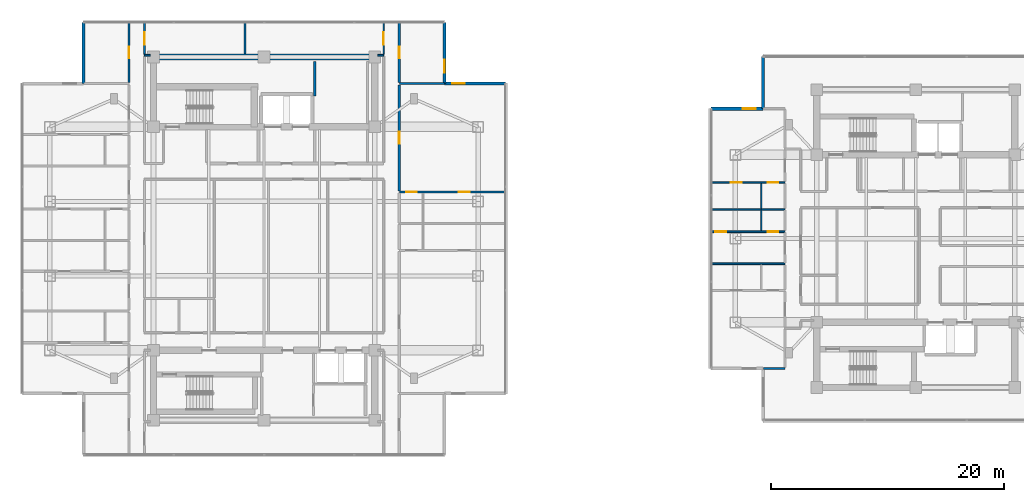
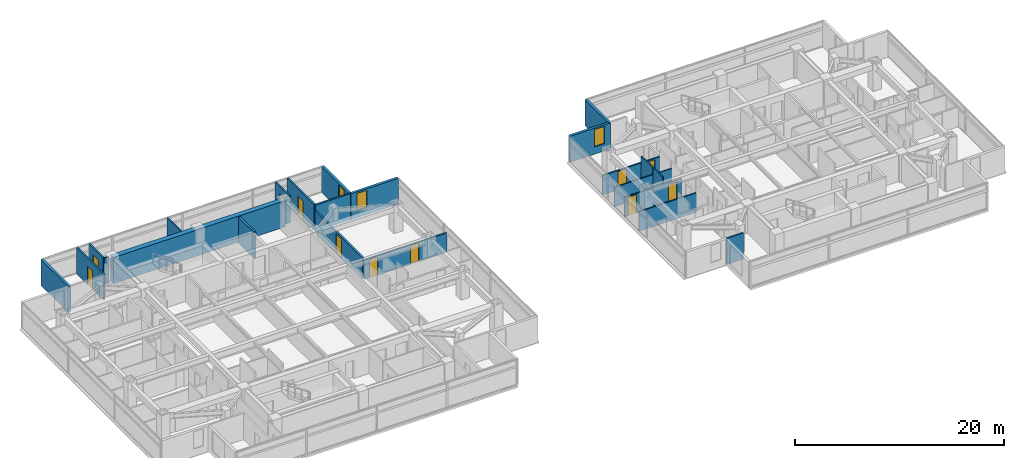
# One storey, part 15 of 24: 24 walls, 11 doors, 3 windows, 14 openings.
"""IFC4 building model written with IfcOpenShell, lengths in metres."""

from ifc_helpers import new_model, si_unit, direction, frame, frame_2d, origin, place, context, subcontext, project, spatial, rectangle, extrude, material, layer, layer_set, type_object, element, fill, save


model = new_model("IFC4")

# Units and contexts
model_context = context("Model", 3, precision=1e-05, world=origin(), true_north=direction((0.0, 1.0)))
body_context = subcontext(model_context, "Body", "Model", "MODEL_VIEW")
ifc_project = project(units=[si_unit("LENGTHUNIT", "METRE"), si_unit("AREAUNIT", "SQUARE_METRE"), si_unit("VOLUMEUNIT", "CUBIC_METRE"), si_unit("PLANEANGLEUNIT", "RADIAN"), si_unit("MASSUNIT", "GRAM", prefix="KILO")], contexts=[model_context])

# Site, building, storey
site_placement = place(None, origin())
site = spatial("IfcSite", under=ifc_project, at=site_placement, CompositionType="ELEMENT")
building_placement = place(site_placement, origin())
building = spatial("IfcBuilding", under=site, at=building_placement, Name="Mirazonda Arch Towers", CompositionType="ELEMENT")
storey_placement = place(building_placement, frame((0.0, 0.0, 167.39990234375)))
storey = spatial("IfcBuildingStorey", under=building, at=storey_placement, Name="L47", CompositionType="ELEMENT", Elevation=167.39990234375)

# Wall
ifc_material_1 = material(Name="Concrete C50/60", Category="concrete")
ifc_layer_1 = layer(ifc_material_1, 0.550048828125, Name="WALL-CORE-550")
ifc_layer_set_1 = layer_set([ifc_layer_1], Name="Concrete C50/60")
wall_type_1 = type_object("IfcWallType", Name="WALL-CORE-550", PredefinedType="SHEAR", material=ifc_layer_set_1)
wall_1_placement = place(storey_placement, frame((11.0, 43.60009765625, 0.0), z_axis=(0.0, 0.0, 1.0), x_axis=(1.0, 0.0, 0.0)))
element("IfcWall", 1, at=wall_1_placement, inside=storey, type_object=wall_type_1, Name="L47 T1N-N Core Shear Wall", PredefinedType="SHEAR", context=body_context, shape_type="SweptSolid", body=[
    extrude(rectangle(XDim=19.0, YDim=0.550048828125, at=frame_2d((9.5, 0.0))), origin(), (0.0, 0.0, 1.0), 3.050048828125),
])

# Wall, opening, window
ifc_material_2 = material(Name="Precast Concrete C40/50", Category="concrete")
ifc_layer_2 = layer(ifc_material_2, 0.280029296875, Name="WALL-EXT-WALL-280")
ifc_layer_set_2 = layer_set([ifc_layer_2], Name="Precast Concrete C40/50")
wall_type_2 = type_object("IfcWallType", Name="WALL-EXT-WALL-280", PredefinedType="SOLIDWALL", material=ifc_layer_set_2)
wall_2_placement = place(storey_placement, frame((36.0048828125, 41.31689453125, 0.0), z_axis=(0.0, 0.0, 1.0), x_axis=(0.0, 1.0, 0.0)))
wall_2 = element("IfcWall", 2, at=wall_2_placement, inside=storey, type_object=wall_type_2, Name="L47 T1 Notched NE Corner Wall WL-L47-T1-CNE", PredefinedType="SOLIDWALL", context=body_context, shape_type="SweptSolid", body=[
    extrude(rectangle(XDim=5.2451171875, YDim=0.280029296875, at=frame_2d((2.62255859375, 0.0))), origin(), (0.0, 0.0, 1.0), 3.030029296875),
])
opening_1_placement = place(wall_2_placement, frame((0.949951171875, 0.0, 0.85009765625)))
opening_1 = element("IfcOpeningElement", 3, at=opening_1_placement, cuts=wall_2, Name="Opening WN-108", PredefinedType="OPENING", context=body_context, shape_type="SweptSolid", body=[
    extrude(rectangle(XDim=1.10009765625, YDim=2.0, at=frame_2d((0.550048828125, 1.0))), frame((0.0, 0.14990234375, 0.0), z_axis=(0.0, -1.0, 0.0), x_axis=(1.0, 0.0, 0.0)), (0.0, 0.0, 1.0), 0.300048828125),
])
ifc_material_3 = material(Name="Insulated Low-E Solar Glass", Category="glass")
window_type = type_object("IfcWindowType", Name="WIN-NOTCH-1100x2000", PartitioningType="SINGLE_PANEL", PredefinedType="WINDOW", material=ifc_material_3)
window_1_placement = place(opening_1_placement, origin())
window_1 = element("IfcWindow", 4, at=window_1_placement, inside=storey, type_object=window_type, Name="L47 Punched Facade Window WN-L47-T1-CNE", OverallHeight=2.0, OverallWidth=1.10009765625, PartitioningType="SINGLE_PANEL", PredefinedType="WINDOW", context=body_context, shape_type="SweptSolid", body=[
    extrude(rectangle(XDim=1.10009765625, YDim=2.0, at=frame_2d((0.550048828125, 1.0))), frame((0.0, 0.030029296875, 0.0), z_axis=(0.0, -1.0, 0.0), x_axis=(1.0, 0.0, 0.0)), (0.0, 0.0, 1.0), 0.06005859375),
])
fill(opening_1, window_1)

# Wall
wall_3_placement = place(storey_placement, frame((4.9951171875, 46.56201171875, 0.0), z_axis=(0.0, 0.0, 1.0), x_axis=(0.0, -1.0, 0.0)))
element("IfcWall", 5, at=wall_3_placement, inside=storey, type_object=wall_type_2, Name="L47 T1 Corner Notch Return Wall WL-L47-T1-CNW2", PredefinedType="SOLIDWALL", context=body_context, shape_type="SweptSolid", body=[
    extrude(rectangle(XDim=5.2451171875, YDim=0.280029296875, at=frame_2d((2.62255859375, 0.0))), origin(), (0.0, 0.0, 1.0), 3.030029296875),
])

# Wall, opening, window
wall_4_placement = place(storey_placement, frame((41.25, 41.31689453125, 0.0), z_axis=(0.0, 0.0, 1.0), x_axis=(-1.0, 0.0, 0.0)))
wall_4 = element("IfcWall", 6, at=wall_4_placement, inside=storey, type_object=wall_type_2, Name="L47 T1 Corner Notch Return Wall WL-L47-T1-CNE2", PredefinedType="SOLIDWALL", context=body_context, shape_type="SweptSolid", body=[
    extrude(rectangle(XDim=5.2451171875, YDim=0.280029296875, at=frame_2d((2.62255859375, 0.0))), origin(), (0.0, 0.0, 1.0), 3.030029296875),
])
opening_2_placement = place(wall_4_placement, frame((3.4951171875, 0.0, 0.85009765625)))
opening_2 = element("IfcOpeningElement", 7, at=opening_2_placement, cuts=wall_4, Name="Opening WN-108", PredefinedType="OPENING", context=body_context, shape_type="SweptSolid", body=[
    extrude(rectangle(XDim=1.10009765625, YDim=2.0, at=frame_2d((0.550048828125, 1.0))), frame((0.0, 0.14990234375, 0.0), z_axis=(0.0, -1.0, 0.0), x_axis=(1.0, 0.0, 0.0)), (0.0, 0.0, 1.0), 0.300048828125),
])
window_2_placement = place(opening_2_placement, origin())
window_2 = element("IfcWindow", 8, at=window_2_placement, inside=storey, type_object=window_type, Name="L47 Punched Facade Window WN-L47-T1-CNE2", OverallHeight=2.0, OverallWidth=1.10009765625, PartitioningType="SINGLE_PANEL", PredefinedType="WINDOW", context=body_context, shape_type="SweptSolid", body=[
    extrude(rectangle(XDim=1.10009765625, YDim=2.0, at=frame_2d((0.550048828125, 1.0))), frame((0.0, 0.030029296875, 0.0), z_axis=(0.0, -1.0, 0.0), x_axis=(1.0, 0.0, 0.0)), (0.0, 0.0, 1.0), 0.06005859375),
])
fill(opening_2, window_2)

wall_5_placement = place(storey_placement, frame((63.380615234375, 39.159423828125, 0.0), z_axis=(0.0, 0.0, 1.0), x_axis=(-1.0, 0.0, 0.0)))
wall_5 = element("IfcWall", 9, at=wall_5_placement, inside=storey, type_object=wall_type_2, Name="L47 T2 Corner Notch Return Wall WL-L47-T2-CNW1", PredefinedType="SOLIDWALL", context=body_context, shape_type="SweptSolid", body=[
    extrude(rectangle(XDim=4.465087890625, YDim=0.280029296875, at=frame_2d((2.232421875, 0.0))), origin(), (0.0, 0.0, 1.0), 3.030029296875),
])
opening_3_placement = place(wall_5_placement, frame((0.64990234375, 0.0, 0.85009765625)))
opening_3 = element("IfcOpeningElement", 10, at=opening_3_placement, cuts=wall_5, Name="Opening WN-108", PredefinedType="OPENING", context=body_context, shape_type="SweptSolid", body=[
    extrude(rectangle(XDim=1.10009765625, YDim=2.0, at=frame_2d((0.550048828125, 1.0))), frame((0.0, 0.14990234375, 0.0), z_axis=(0.0, -1.0, 0.0), x_axis=(1.0, 0.0, 0.0)), (0.0, 0.0, 1.0), 0.300048828125),
])
window_3_placement = place(opening_3_placement, origin())
window_3 = element("IfcWindow", 11, at=window_3_placement, inside=storey, type_object=window_type, Name="L47 Punched Facade Window WN-L47-T2-CNW1", OverallHeight=2.0, OverallWidth=1.10009765625, PartitioningType="SINGLE_PANEL", PredefinedType="WINDOW", context=body_context, shape_type="SweptSolid", body=[
    extrude(rectangle(XDim=1.10009765625, YDim=2.0, at=frame_2d((0.550048828125, 1.0))), frame((0.0, 0.030029296875, 0.0), z_axis=(0.0, -1.0, 0.0), x_axis=(1.0, 0.0, 0.0)), (0.0, 0.0, 1.0), 0.06005859375),
])
fill(opening_3, window_3)

# Walls
wall_6_placement = place(storey_placement, frame((63.380615234375, 43.624755859375, 0.0), z_axis=(0.0, 0.0, 1.0), x_axis=(0.0, -1.0, 0.0)))
element("IfcWall", 12, at=wall_6_placement, inside=storey, type_object=wall_type_2, Name="L47 T2 Corner Notch Return Wall WL-L47-T2-CNW2", PredefinedType="SOLIDWALL", context=body_context, shape_type="SweptSolid", body=[
    extrude(rectangle(XDim=4.46533203125, YDim=0.280029296875, at=frame_2d((2.232666015625, 0.0))), origin(), (0.0, 0.0, 1.0), 3.030029296875),
])
ifc_material_4 = material(Name="Concrete C40/50", Category="concrete")
ifc_layer_3 = layer(ifc_material_4, 0.219970703125, Name="WALL-FFL-220")
ifc_layer_set_3 = layer_set([ifc_layer_3], Name="Concrete C40/50")
wall_type_3 = type_object("IfcWallType", Name="WALL-FFL-220", PredefinedType="SOLIDWALL", material=ifc_layer_set_3)
wall_7_placement = place(storey_placement, frame((24.85009765625, 40.260009765625, 0.0), z_axis=(0.0, 0.0, 1.0), x_axis=(0.0, 1.0, 0.0)))
element("IfcWall", 13, at=wall_7_placement, inside=storey, type_object=wall_type_3, Name="L47 Interior Partition 097", PredefinedType="SOLIDWALL", context=body_context, shape_type="SweptSolid", body=[
    extrude(rectangle(XDim=2.93994140625, YDim=0.219970703125, at=frame_2d((1.469970703125, 0.0))), origin(), (0.0, 0.0, 1.0), 3.050048828125),
])
ifc_material_5 = material(Name="Fire-Rated Gypsum Stud Partition")
ifc_layer_4 = layer(ifc_material_5, 0.14990234375, Name="WALL-PART-CORR-150")
ifc_layer_set_4 = layer_set([ifc_layer_4], Name="Fire-Rated Gypsum Stud Partition")
wall_type_4 = type_object("IfcWallType", Name="WALL-PART-CORR-150", PredefinedType="PARTITIONING", material=ifc_layer_set_4)
wall_8_placement = place(storey_placement, frame((58.916015625, 25.833984375, 0.0), z_axis=(0.0, 0.0, 1.0), x_axis=(1.0, 0.0, 0.0)))
element("IfcWall", 14, at=wall_8_placement, inside=storey, type_object=wall_type_4, Name="L47 Interior Partition 028", PredefinedType="PARTITIONING", context=body_context, shape_type="SweptSolid", body=[
    extrude(rectangle(XDim=6.333984375, YDim=0.14990234375, at=frame_2d((3.1669921875, 0.0))), origin(), (0.0, 0.0, 1.0), 2.26904296875),
])

# Wall, openings, doors
wall_9_placement = place(storey_placement, frame((58.916015625, 28.587890625, 0.0), z_axis=(0.0, 0.0, 1.0), x_axis=(1.0, 0.0, 0.0)))
wall_9 = element("IfcWall", 15, at=wall_9_placement, inside=storey, type_object=wall_type_4, Name="L47 Interior Partition 034", PredefinedType="PARTITIONING", context=body_context, shape_type="SweptSolid", body=[
    extrude(rectangle(XDim=6.333984375, YDim=0.14990234375, at=frame_2d((3.1669921875, 0.0))), origin(), (0.0, 0.0, 1.0), 2.26904296875),
])
opening_4_placement = place(wall_9_placement, frame((0.348388671875, 0.0, 0.0)))
opening_4 = element("IfcOpeningElement", 16, at=opening_4_placement, cuts=wall_9, Name="Opening DR-104", PredefinedType="OPENING", context=body_context, shape_type="SweptSolid", body=[
    extrude(rectangle(XDim=0.949951171875, YDim=2.14990234375, at=frame_2d((0.47509765625, 1.074951171875))), frame((0.0, 0.0849609375, 0.0), z_axis=(0.0, -1.0, 0.0), x_axis=(1.0, 0.0, 0.0)), (0.0, 0.0, 1.0), 0.169921875),
])
opening_5_placement = place(wall_9_placement, frame((4.8505859375, 0.0, 0.0)))
opening_5 = element("IfcOpeningElement", 17, at=opening_5_placement, cuts=wall_9, Name="Opening DR-120", PredefinedType="OPENING", context=body_context, shape_type="SweptSolid", body=[
    extrude(rectangle(XDim=0.89990234375, YDim=2.10009765625, at=frame_2d((0.449951171875, 1.050048828125))), frame((0.0, 0.0849609375, 0.0), z_axis=(0.0, -1.0, 0.0), x_axis=(1.0, 0.0, 0.0)), (0.0, 0.0, 1.0), 0.169921875),
])
ifc_material_6 = material(Name="Architectural Brushed Steel S355", Category="steel")
door_type_1 = type_object("IfcDoorType", Name="DOOR-ROOM-950", OperationType="NOTDEFINED", PredefinedType="DOOR", material=ifc_material_6)
door_1_placement = place(opening_4_placement, origin())
door_1 = element("IfcDoor", 18, at=door_1_placement, inside=storey, type_object=door_type_1, Name="L47 Studio 2 Galley Kitchen Door", OperationType="SINGLE_SWING_RIGHT", OverallHeight=2.14990234375, OverallWidth=0.949951171875, PredefinedType="DOOR", context=body_context, shape_type="SweptSolid", body=[
    extrude(rectangle(XDim=0.949951171875, YDim=2.14990234375, at=frame_2d((0.47509765625, 1.074951171875))), frame((0.0, 0.02490234375, 0.0), z_axis=(0.0, -1.0, 0.0), x_axis=(1.0, 0.0, 0.0)), (0.0, 0.0, 1.0), 0.050048828125),
])
fill(opening_4, door_1)
door_type_2 = type_object("IfcDoorType", Name="DOOR-WC-900", OperationType="NOTDEFINED", PredefinedType="DOOR", material=ifc_material_6)
door_2_placement = place(opening_5_placement, origin())
door_2 = element("IfcDoor", 19, at=door_2_placement, inside=storey, type_object=door_type_2, Name="L47 Studio 2 Bathroom Door", OperationType="SINGLE_SWING_LEFT", OverallHeight=2.10009765625, OverallWidth=0.89990234375, PredefinedType="DOOR", context=body_context, shape_type="SweptSolid", body=[
    extrude(rectangle(XDim=0.89990234375, YDim=2.10009765625, at=frame_2d((0.449951171875, 1.050048828125))), frame((0.0, 0.02490234375, 0.0), z_axis=(0.0, -1.0, 0.0), x_axis=(1.0, 0.0, 0.0)), (0.0, 0.0, 1.0), 0.050048828125),
])
fill(opening_5, door_2)

wall_10_placement = place(storey_placement, frame((58.916015625, 32.80810546875, 0.0), z_axis=(0.0, 0.0, 1.0), x_axis=(1.0, 0.0, 0.0)))
wall_10 = element("IfcWall", 20, at=wall_10_placement, inside=storey, type_object=wall_type_4, Name="L47 Interior Partition 044", PredefinedType="PARTITIONING", context=body_context, shape_type="SweptSolid", body=[
    extrude(rectangle(XDim=6.333984375, YDim=0.14990234375, at=frame_2d((3.1669921875, 0.0))), origin(), (0.0, 0.0, 1.0), 2.26904296875),
])
opening_6_placement = place(wall_10_placement, frame((1.698486328125, 0.0, 0.0)))
opening_6 = element("IfcOpeningElement", 21, at=opening_6_placement, cuts=wall_10, Name="Opening DR-104", PredefinedType="OPENING", context=body_context, shape_type="SweptSolid", body=[
    extrude(rectangle(XDim=0.949951171875, YDim=2.14990234375, at=frame_2d((0.47509765625, 1.074951171875))), frame((0.0, 0.0849609375, 0.0), z_axis=(0.0, -1.0, 0.0), x_axis=(1.0, 0.0, 0.0)), (0.0, 0.0, 1.0), 0.169921875),
])
opening_7_placement = place(wall_10_placement, frame((4.8505859375, 0.0, 0.0)))
opening_7 = element("IfcOpeningElement", 22, at=opening_7_placement, cuts=wall_10, Name="Opening DR-120", PredefinedType="OPENING", context=body_context, shape_type="SweptSolid", body=[
    extrude(rectangle(XDim=0.89990234375, YDim=2.10009765625, at=frame_2d((0.449951171875, 1.050048828125))), frame((0.0, 0.0849609375, 0.0), z_axis=(0.0, -1.0, 0.0), x_axis=(1.0, 0.0, 0.0)), (0.0, 0.0, 1.0), 0.169921875),
])
door_3_placement = place(opening_6_placement, origin())
door_3 = element("IfcDoor", 23, at=door_3_placement, inside=storey, type_object=door_type_1, Name="L47 Studio 3 Galley Kitchen Door", OperationType="SINGLE_SWING_LEFT", OverallHeight=2.14990234375, OverallWidth=0.949951171875, PredefinedType="DOOR", context=body_context, shape_type="SweptSolid", body=[
    extrude(rectangle(XDim=0.949951171875, YDim=2.14990234375, at=frame_2d((0.47509765625, 1.074951171875))), frame((0.0, 0.02490234375, 0.0), z_axis=(0.0, -1.0, 0.0), x_axis=(1.0, 0.0, 0.0)), (0.0, 0.0, 1.0), 0.050048828125),
])
fill(opening_6, door_3)
door_4_placement = place(opening_7_placement, origin())
door_4 = element("IfcDoor", 24, at=door_4_placement, inside=storey, type_object=door_type_2, Name="L47 Studio 3 Bathroom Door", OperationType="SINGLE_SWING_RIGHT", OverallHeight=2.10009765625, OverallWidth=0.89990234375, PredefinedType="DOOR", context=body_context, shape_type="SweptSolid", body=[
    extrude(rectangle(XDim=0.89990234375, YDim=2.10009765625, at=frame_2d((0.449951171875, 1.050048828125))), frame((0.0, 0.02490234375, 0.0), z_axis=(0.0, -1.0, 0.0), x_axis=(1.0, 0.0, 0.0)), (0.0, 0.0, 1.0), 0.050048828125),
])
fill(opening_7, door_4)

# Walls
for number, where, z_axis, x_axis, name in (
    (25, (10.219970703125, 43.75, 0.0), (0.0, 0.0, 1.0), (1.0, 0.0, 0.0), "L47 Interior Partition 059"),
    (26, (30.27001953125, 43.75, 0.0), (0.0, 0.0, 1.0), (1.0, 0.0, 0.0), "L47 Interior Partition 060"),
):
    element("IfcWall", number, at=place(storey_placement, frame(where, z_axis=z_axis, x_axis=x_axis)), inside=storey, type_object=wall_type_4, Name=name, PredefinedType="PARTITIONING", context=body_context, shape_type="SweptSolid", body=[
        extrude(rectangle(XDim=0.510009765625, YDim=0.14990234375, at=frame_2d((0.2548828125, 0.0))), origin(), (0.0, 0.0, 1.0), 3.050048828125),
    ])

# Wall, opening, door
wall_11_placement = place(storey_placement, frame((10.219970703125, 43.8349609375, 0.0), z_axis=(0.0, 0.0, 1.0), x_axis=(0.0, 1.0, 0.0)))
wall_11 = element("IfcWall", 27, at=wall_11_placement, inside=storey, type_object=wall_type_4, Name="L47 Interior Partition 080", PredefinedType="PARTITIONING", context=body_context, shape_type="SweptSolid", body=[
    extrude(rectangle(XDim=2.72705078125, YDim=0.14990234375, at=frame_2d((1.363525390625, 0.0))), origin(), (0.0, 0.0, 1.0), 3.050048828125),
])
opening_8_placement = place(wall_11_placement, frame((0.83837890625, 0.0, 0.0)))
opening_8 = element("IfcOpeningElement", 28, at=opening_8_placement, cuts=wall_11, Name="Opening DR-121", PredefinedType="OPENING", context=body_context, shape_type="SweptSolid", body=[
    extrude(rectangle(XDim=1.050048828125, YDim=2.199951171875, at=frame_2d((0.52490234375, 1.10009765625))), frame((0.0, 0.0849609375, 0.0), z_axis=(0.0, -1.0, 0.0), x_axis=(1.0, 0.0, 0.0)), (0.0, 0.0, 1.0), 0.169921875),
])
door_type_3 = type_object("IfcDoorType", Name="DOOR-SUITE-FD60-1050", OperationType="NOTDEFINED", PredefinedType="DOOR", material=ifc_material_6)
door_5_placement = place(opening_8_placement, origin())
door_5 = element("IfcDoor", 29, at=door_5_placement, inside=storey, type_object=door_type_3, Name="L47 North Reading Salon West Door", OperationType="SINGLE_SWING_RIGHT", OverallHeight=2.199951171875, OverallWidth=1.050048828125, PredefinedType="DOOR", context=body_context, shape_type="SweptSolid", body=[
    extrude(rectangle(XDim=1.050048828125, YDim=2.199951171875, at=frame_2d((0.52490234375, 1.10009765625))), frame((0.0, 0.02490234375, 0.0), z_axis=(0.0, -1.0, 0.0), x_axis=(1.0, 0.0, 0.0)), (0.0, 0.0, 1.0), 0.050048828125),
])
fill(opening_8, door_5)

# Wall
wall_12_placement = place(storey_placement, frame((18.85498046875, 43.8701171875, 0.0), z_axis=(0.0, 0.0, 1.0), x_axis=(0.0, 1.0, 0.0)))
element("IfcWall", 30, at=wall_12_placement, inside=storey, type_object=wall_type_4, Name="L47 Interior Partition 086", PredefinedType="PARTITIONING", context=body_context, shape_type="SweptSolid", body=[
    extrude(rectangle(XDim=2.69189453125, YDim=0.14990234375, at=frame_2d((1.345947265625, 0.0))), origin(), (0.0, 0.0, 1.0), 3.050048828125),
])

# Wall, opening, door
wall_13_placement = place(storey_placement, frame((30.780029296875, 43.8349609375, 0.0), z_axis=(0.0, 0.0, 1.0), x_axis=(0.0, 1.0, 0.0)))
wall_13 = element("IfcWall", 31, at=wall_13_placement, inside=storey, type_object=wall_type_4, Name="L47 Interior Partition 107", PredefinedType="PARTITIONING", context=body_context, shape_type="SweptSolid", body=[
    extrude(rectangle(XDim=2.72705078125, YDim=0.14990234375, at=frame_2d((1.363525390625, 0.0))), origin(), (0.0, 0.0, 1.0), 3.050048828125),
])
opening_9_placement = place(wall_13_placement, frame((0.83837890625, 0.0, 0.0)))
opening_9 = element("IfcOpeningElement", 32, at=opening_9_placement, cuts=wall_13, Name="Opening DR-121", PredefinedType="OPENING", context=body_context, shape_type="SweptSolid", body=[
    extrude(rectangle(XDim=1.050048828125, YDim=2.199951171875, at=frame_2d((0.52490234375, 1.10009765625))), frame((0.0, 0.0849609375, 0.0), z_axis=(0.0, -1.0, 0.0), x_axis=(1.0, 0.0, 0.0)), (0.0, 0.0, 1.0), 0.169921875),
])
door_6_placement = place(opening_9_placement, origin())
door_6 = element("IfcDoor", 33, at=door_6_placement, inside=storey, type_object=door_type_3, Name="L47 North Reading Salon East Door", OperationType="SINGLE_SWING_LEFT", OverallHeight=2.199951171875, OverallWidth=1.050048828125, PredefinedType="DOOR", context=body_context, shape_type="SweptSolid", body=[
    extrude(rectangle(XDim=1.050048828125, YDim=2.199951171875, at=frame_2d((0.52490234375, 1.10009765625))), frame((0.0, 0.02490234375, 0.0), z_axis=(0.0, -1.0, 0.0), x_axis=(1.0, 0.0, 0.0)), (0.0, 0.0, 1.0), 0.050048828125),
])
fill(opening_9, door_6)

# Wall
ifc_material_7 = material(Name="Fire-Rated Gypsum Twin-Stud Assembly")
ifc_layer_5 = layer(ifc_material_7, 0.179931640625, Name="WALL-PART-DEMISE-180")
ifc_layer_set_5 = layer_set([ifc_layer_5], Name="Fire-Rated Gypsum Twin-Stud Assembly")
wall_type_5 = type_object("IfcWallType", Name="WALL-PART-DEMISE-180", PredefinedType="PARTITIONING", material=ifc_layer_set_5)
wall_14_placement = place(storey_placement, frame((63.400634765625, 16.840087890625, 0.0), z_axis=(0.0, 0.0, 1.0), x_axis=(1.0, 0.0, 0.0)))
element("IfcWall", 34, at=wall_14_placement, inside=storey, type_object=wall_type_5, Name="L47 Interior Partition 008", PredefinedType="PARTITIONING", context=body_context, shape_type="SweptSolid", body=[
    extrude(rectangle(XDim=1.849365234375, YDim=0.179931640625, at=frame_2d((0.9248046875, 0.0))), origin(), (0.0, 0.0, 1.0), 3.050048828125),
])

# Wall, openings, doors
wall_15_placement = place(storey_placement, frame((32.1201171875, 32.0029296875, 0.0), z_axis=(0.0, 0.0, 1.0), x_axis=(1.0, 0.0, 0.0)))
wall_15 = element("IfcWall", 35, at=wall_15_placement, inside=storey, type_object=wall_type_5, Name="L47 Interior Partition 041", PredefinedType="PARTITIONING", context=body_context, shape_type="SweptSolid", body=[
    extrude(rectangle(XDim=9.1298828125, YDim=0.179931640625, at=frame_2d((4.56494140625, 0.0))), origin(), (0.0, 0.0, 1.0), 2.26904296875),
])
opening_10_placement = place(wall_15_placement, frame((5.090087890625, 0.0, 0.0)))
opening_10 = element("IfcOpeningElement", 36, at=opening_10_placement, cuts=wall_15, Name="Opening DR-104", PredefinedType="OPENING", context=body_context, shape_type="SweptSolid", body=[
    extrude(rectangle(XDim=0.949951171875, YDim=2.14990234375, at=frame_2d((0.47509765625, 1.074951171875))), frame((0.0, 0.099853515625, 0.0), z_axis=(0.0, -1.0, 0.0), x_axis=(1.0, 0.0, 0.0)), (0.0, 0.0, 1.0), 0.199951171875),
])
opening_11_placement = place(wall_15_placement, frame((0.590087890625, 0.0, 0.0)))
opening_11 = element("IfcOpeningElement", 37, at=opening_11_placement, cuts=wall_15, Name="Opening DR-120", PredefinedType="OPENING", context=body_context, shape_type="SweptSolid", body=[
    extrude(rectangle(XDim=0.89990234375, YDim=2.10009765625, at=frame_2d((0.449951171875, 1.050048828125))), frame((0.0, 0.099853515625, 0.0), z_axis=(0.0, -1.0, 0.0), x_axis=(1.0, 0.0, 0.0)), (0.0, 0.0, 1.0), 0.199951171875),
])
door_7_placement = place(opening_10_placement, origin())
door_7 = element("IfcDoor", 38, at=door_7_placement, inside=storey, type_object=door_type_1, Name="L47 Suite Bedroom 2 Door", OperationType="SINGLE_SWING_RIGHT", OverallHeight=2.14990234375, OverallWidth=0.949951171875, PredefinedType="DOOR", context=body_context, shape_type="SweptSolid", body=[
    extrude(rectangle(XDim=0.949951171875, YDim=2.14990234375, at=frame_2d((0.47509765625, 1.074951171875))), frame((0.0, 0.02490234375, 0.0), z_axis=(0.0, -1.0, 0.0), x_axis=(1.0, 0.0, 0.0)), (0.0, 0.0, 1.0), 0.050048828125),
])
fill(opening_10, door_7)
door_8_placement = place(opening_11_placement, origin())
door_8 = element("IfcDoor", 39, at=door_8_placement, inside=storey, type_object=door_type_2, Name="L47 Suite En-Suite Bathroom 2 Door", OperationType="SINGLE_SWING_LEFT", OverallHeight=2.10009765625, OverallWidth=0.89990234375, PredefinedType="DOOR", context=body_context, shape_type="SweptSolid", body=[
    extrude(rectangle(XDim=0.89990234375, YDim=2.10009765625, at=frame_2d((0.449951171875, 1.050048828125))), frame((0.0, 0.02490234375, 0.0), z_axis=(0.0, -1.0, 0.0), x_axis=(1.0, 0.0, 0.0)), (0.0, 0.0, 1.0), 0.050048828125),
])
fill(opening_11, door_8)

# Wall
wall_16_placement = place(storey_placement, frame((32.1201171875, 41.31689453125, 0.0), z_axis=(0.0, 0.0, 1.0), x_axis=(1.0, 0.0, 0.0)))
element("IfcWall", 40, at=wall_16_placement, inside=storey, type_object=wall_type_5, Name="L47 Interior Partition 058", PredefinedType="PARTITIONING", context=body_context, shape_type="SweptSolid", body=[
    extrude(rectangle(XDim=3.864990234375, YDim=0.179931640625, at=frame_2d((1.9326171875, 0.0))), origin(), (0.0, 0.0, 1.0), 3.050048828125),
])

# Wall, opening, door
wall_17_placement = place(storey_placement, frame((8.8798828125, 41.4169921875, 0.0), z_axis=(0.0, 0.0, 1.0), x_axis=(0.0, 1.0, 0.0)))
wall_17 = element("IfcWall", 41, at=wall_17_placement, inside=storey, type_object=wall_type_5, Name="L47 Interior Partition 074", PredefinedType="PARTITIONING", context=body_context, shape_type="SweptSolid", body=[
    extrude(rectangle(XDim=5.14501953125, YDim=0.179931640625, at=frame_2d((2.572509765625, 0.0))), origin(), (0.0, 0.0, 1.0), 3.050048828125),
])
opening_12_placement = place(wall_17_placement, frame((2.097412109375, 0.0, 0.0)))
opening_12 = element("IfcOpeningElement", 42, at=opening_12_placement, cuts=wall_17, Name="Opening DR-104", PredefinedType="OPENING", context=body_context, shape_type="SweptSolid", body=[
    extrude(rectangle(XDim=0.949951171875, YDim=2.14990234375, at=frame_2d((0.47509765625, 1.074951171875))), frame((0.0, 0.099853515625, 0.0), z_axis=(0.0, -1.0, 0.0), x_axis=(1.0, 0.0, 0.0)), (0.0, 0.0, 1.0), 0.199951171875),
])
door_9_placement = place(opening_12_placement, origin())
door_9 = element("IfcDoor", 43, at=door_9_placement, inside=storey, type_object=door_type_1, Name="L47 North Reading Salon Alcove West Door", OperationType="SINGLE_SWING_RIGHT", OverallHeight=2.14990234375, OverallWidth=0.949951171875, PredefinedType="DOOR", context=body_context, shape_type="SweptSolid", body=[
    extrude(rectangle(XDim=0.949951171875, YDim=2.14990234375, at=frame_2d((0.47509765625, 1.074951171875))), frame((0.0, 0.02490234375, 0.0), z_axis=(0.0, -1.0, 0.0), x_axis=(1.0, 0.0, 0.0)), (0.0, 0.0, 1.0), 0.050048828125),
])
fill(opening_12, door_9)

wall_18_placement = place(storey_placement, frame((32.1201171875, 32.10302734375, 0.0), z_axis=(0.0, 0.0, 1.0), x_axis=(0.0, 1.0, 0.0)))
wall_18 = element("IfcWall", 44, at=wall_18_placement, inside=storey, type_object=wall_type_5, Name="L47 Interior Partition 112", PredefinedType="PARTITIONING", context=body_context, shape_type="SweptSolid", body=[
    extrude(rectangle(XDim=9.114013671875, YDim=0.179931640625, at=frame_2d((4.55712890625, 0.0))), origin(), (0.0, 0.0, 1.0), 2.442138671875),
])
opening_13_placement = place(wall_18_placement, frame((4.031982421875, 0.0, 0.0)))
opening_13 = element("IfcOpeningElement", 45, at=opening_13_placement, cuts=wall_18, Name="Opening DR-121", PredefinedType="OPENING", context=body_context, shape_type="SweptSolid", body=[
    extrude(rectangle(XDim=1.050048828125, YDim=2.199951171875, at=frame_2d((0.52490234375, 1.10009765625))), frame((0.0, 0.099853515625, 0.0), z_axis=(0.0, -1.0, 0.0), x_axis=(1.0, 0.0, 0.0)), (0.0, 0.0, 1.0), 0.199951171875),
])
door_10_placement = place(opening_13_placement, origin())
door_10 = element("IfcDoor", 46, at=door_10_placement, inside=storey, type_object=door_type_3, Name="L47 Presidential Hotel Suite 2 Door", OperationType="SINGLE_SWING_LEFT", OverallHeight=2.199951171875, OverallWidth=1.050048828125, PredefinedType="DOOR", context=body_context, shape_type="SweptSolid", body=[
    extrude(rectangle(XDim=1.050048828125, YDim=2.199951171875, at=frame_2d((0.52490234375, 1.10009765625))), frame((0.0, 0.02490234375, 0.0), z_axis=(0.0, -1.0, 0.0), x_axis=(1.0, 0.0, 0.0)), (0.0, 0.0, 1.0), 0.050048828125),
])
fill(opening_13, door_10)

wall_19_placement = place(storey_placement, frame((32.1201171875, 41.4169921875, 0.0), z_axis=(0.0, 0.0, 1.0), x_axis=(0.0, 1.0, 0.0)))
wall_19 = element("IfcWall", 47, at=wall_19_placement, inside=storey, type_object=wall_type_5, Name="L47 Interior Partition 113", PredefinedType="PARTITIONING", context=body_context, shape_type="SweptSolid", body=[
    extrude(rectangle(XDim=5.14501953125, YDim=0.179931640625, at=frame_2d((2.572509765625, 0.0))), origin(), (0.0, 0.0, 1.0), 3.050048828125),
])
opening_14_placement = place(wall_19_placement, frame((2.097412109375, 0.0, 0.0)))
opening_14 = element("IfcOpeningElement", 48, at=opening_14_placement, cuts=wall_19, Name="Opening DR-104", PredefinedType="OPENING", context=body_context, shape_type="SweptSolid", body=[
    extrude(rectangle(XDim=0.949951171875, YDim=2.14990234375, at=frame_2d((0.47509765625, 1.074951171875))), frame((0.0, 0.099853515625, 0.0), z_axis=(0.0, -1.0, 0.0), x_axis=(1.0, 0.0, 0.0)), (0.0, 0.0, 1.0), 0.199951171875),
])
door_11_placement = place(opening_14_placement, origin())
door_11 = element("IfcDoor", 49, at=door_11_placement, inside=storey, type_object=door_type_1, Name="L47 North Reading Salon Alcove East Door", OperationType="SINGLE_SWING_LEFT", OverallHeight=2.14990234375, OverallWidth=0.949951171875, PredefinedType="DOOR", context=body_context, shape_type="SweptSolid", body=[
    extrude(rectangle(XDim=0.949951171875, YDim=2.14990234375, at=frame_2d((0.47509765625, 1.074951171875))), frame((0.0, 0.02490234375, 0.0), z_axis=(0.0, -1.0, 0.0), x_axis=(1.0, 0.0, 0.0)), (0.0, 0.0, 1.0), 0.050048828125),
])
fill(opening_14, door_11)

# Walls
ifc_material_8 = material(Name="Acoustic Fire-Rated Gypsum Partition")
ifc_layer_6 = layer(ifc_material_8, 0.125, Name="WALL-PART-UNIT-125")
ifc_layer_set_6 = layer_set([ifc_layer_6], Name="Acoustic Fire-Rated Gypsum Partition")
wall_type_6 = type_object("IfcWallType", Name="WALL-PART-UNIT-125", PredefinedType="PARTITIONING", material=ifc_layer_set_6)
wall_20_placement = place(storey_placement, frame((58.916015625, 30.508056640625, 0.0), z_axis=(0.0, 0.0, 1.0), x_axis=(1.0, 0.0, 0.0)))
element("IfcWall", 50, at=wall_20_placement, inside=storey, type_object=wall_type_6, Name="L47 Interior Partition 038", PredefinedType="PARTITIONING", context=body_context, shape_type="SweptSolid", body=[
    extrude(rectangle(XDim=6.333984375, YDim=0.125, at=frame_2d((3.1669921875, 0.0))), origin(), (0.0, 0.0, 1.0), 2.26904296875),
])
wall_21_placement = place(storey_placement, frame((63.222900390625, 28.673095703125, 0.0), z_axis=(0.0, 0.0, 1.0), x_axis=(0.0, 1.0, 0.0)))
element("IfcWall", 51, at=wall_21_placement, inside=storey, type_object=wall_type_6, Name="L47 Interior Partition 117", PredefinedType="PARTITIONING", context=body_context, shape_type="SweptSolid", body=[
    extrude(rectangle(XDim=1.762451171875, YDim=0.125, at=frame_2d((0.88134765625, 0.0))), origin(), (0.0, 0.0, 1.0), 3.050048828125),
])
wall_22_placement = place(storey_placement, frame((63.222900390625, 30.58056640625, 0.0), z_axis=(0.0, 0.0, 1.0), x_axis=(0.0, 1.0, 0.0)))
element("IfcWall", 52, at=wall_22_placement, inside=storey, type_object=wall_type_6, Name="L47 Interior Partition 118", PredefinedType="PARTITIONING", context=body_context, shape_type="SweptSolid", body=[
    extrude(rectangle(XDim=2.142333984375, YDim=0.125, at=frame_2d((1.0712890625, 0.0))), origin(), (0.0, 0.0, 1.0), 3.050048828125),
])

save(model, "model.ifc")
